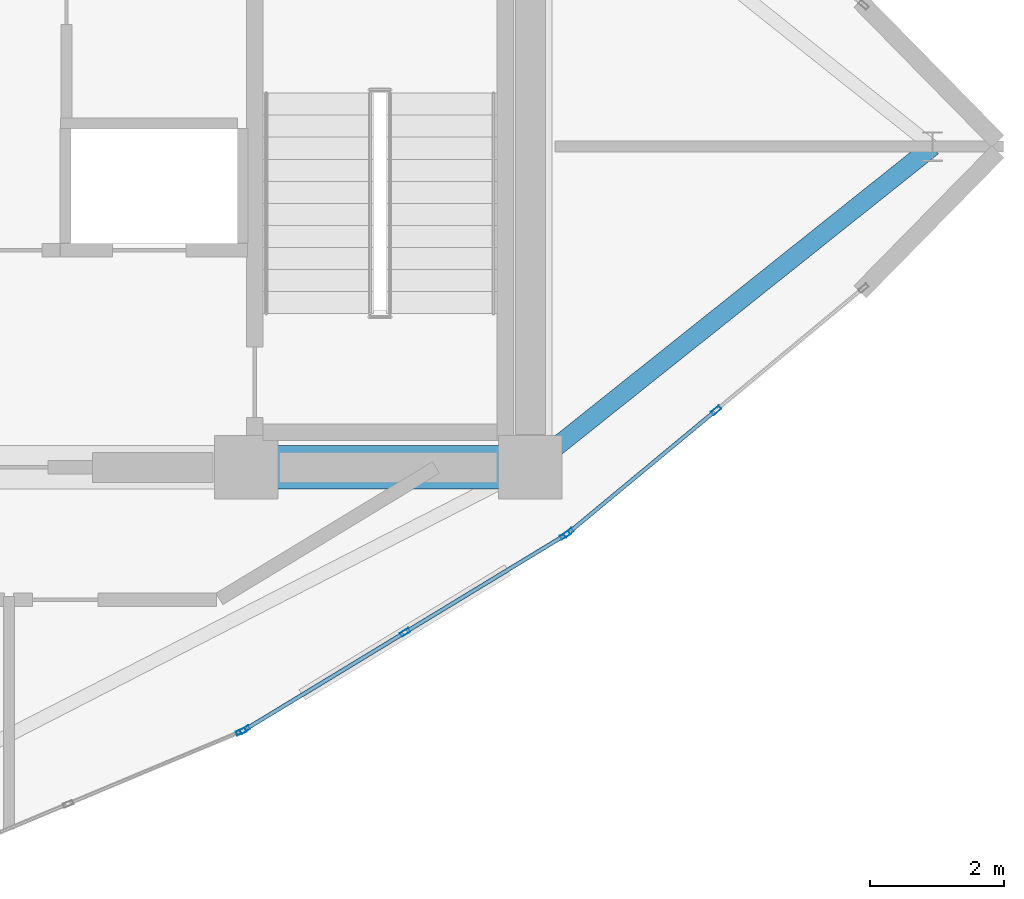
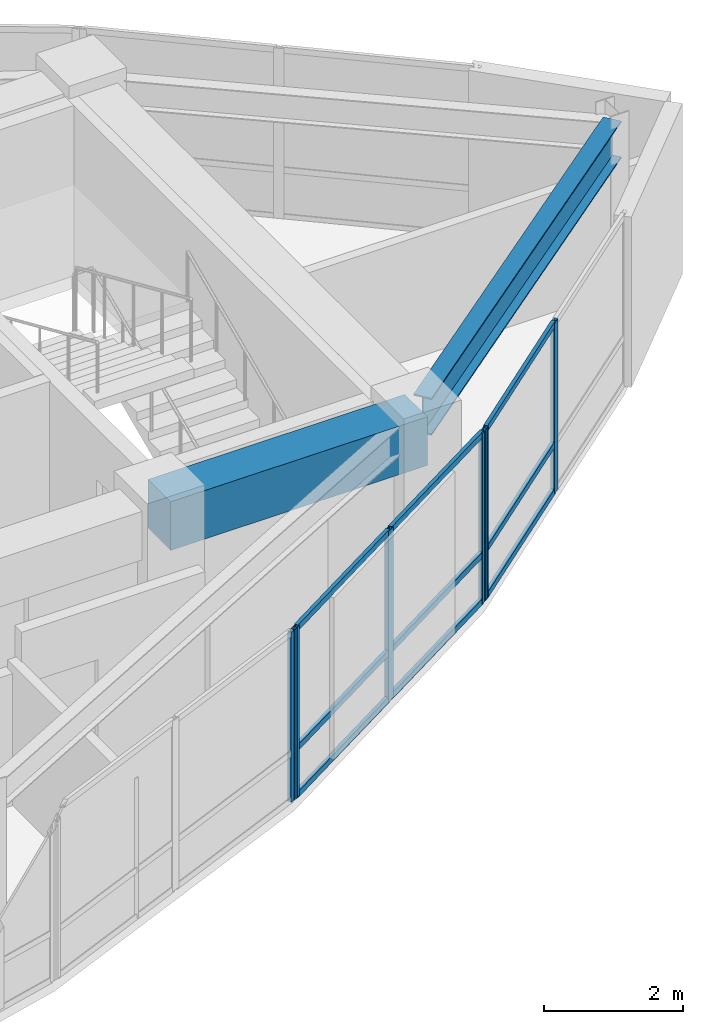
# One storey, part 5 of 14: 15 members, 2 beams, 3 elements without a shape of their own.
"""IFC4 building model written with IfcOpenShell, lengths in metres."""

from ifc_helpers import new_model, si_unit, direction, frame, origin, origin_2d, place, context, subcontext, project, spatial, rectangle, hollow_rectangle, i_section, extrude, material, layer, layer_set, material_profile, profile_set, type_object, element, aggregate, save


model = new_model("IFC4")

# Units and contexts
model_context = context("Model", 3, precision=1e-05, world=origin(), true_north=direction((0.0, 1.0)))
body_context = subcontext(model_context, "Body", "Model", "MODEL_VIEW")
ifc_project = project(units=[si_unit("LENGTHUNIT", "METRE"), si_unit("AREAUNIT", "SQUARE_METRE"), si_unit("VOLUMEUNIT", "CUBIC_METRE"), si_unit("PLANEANGLEUNIT", "RADIAN"), si_unit("MASSUNIT", "GRAM", prefix="KILO")], contexts=[model_context])

# Site, building, storey
site_placement = place(None, origin())
site = spatial("IfcSite", under=ifc_project, at=site_placement, CompositionType="ELEMENT")
building_placement = place(site_placement, origin())
building = spatial("IfcBuilding", under=site, at=building_placement, Name="Menara Vayukalpa", CompositionType="ELEMENT")
storey_placement = place(building_placement, frame((0.0, 0.0, 302.419921875)))
storey = spatial("IfcBuildingStorey", under=building, at=storey_placement, Name="L77", CompositionType="ELEMENT", Elevation=302.419921875)

# Beams
ifc_material_1 = material(Name="Concrete C60/75", Category="concrete")
ifc_material_profile_1 = material_profile(ifc_material_1, rectangle(XDim=0.64990234375, YDim=0.85009765625, at=origin_2d()), Name="RC 650x850")
ifc_profile_set_1 = profile_set([ifc_material_profile_1], Name="Concrete C60/75")
beam_type_1 = type_object("IfcBeamType", Name="BM-CB1", PredefinedType="BEAM", material=ifc_profile_set_1)
beam_1_placement = place(storey_placement, frame((29.14990234375, 17.199951171875, 2.55517578125), z_axis=(1.0, 0.0, 0.0), x_axis=(0.0, 1.0, 0.0)))
element("IfcBeam", 1, at=beam_1_placement, inside=storey, type_object=beam_type_1, Name="L77 Core Tie Beam CBR3", PredefinedType="BEAM", context=body_context, shape_type="SweptSolid", body=[
    extrude(rectangle(XDim=0.64990234375, YDim=0.85009765625, at=origin_2d()), origin(), (0.0, 0.0, 1.0), 4.25),
])
ifc_material_2 = material(Name="Steel S355", Category="steel")
ifc_material_profile_2 = material_profile(ifc_material_2, i_section(OverallWidth=0.280029296875, OverallDepth=0.64990234375, WebThickness=0.012939453125, FlangeThickness=0.02197265625, at=origin_2d()), Name="WF 650x280x13x22")
ifc_profile_set_2 = profile_set([ifc_material_profile_2], Name="Steel S355")
beam_type_2 = type_object("IfcBeamType", Name="BM-PG6", PredefinedType="BEAM", material=ifc_profile_set_2)
beam_2_placement = place(storey_placement, frame((33.595458984375, 17.35595703125, 2.655029296875), z_axis=(0.781833603421, 0.623487142258, 0.0), x_axis=(-0.623487142258, 0.781833603421, 0.0)))
element("IfcBeam", 2, at=beam_2_placement, inside=storey, type_object=beam_type_2, Name="L77 Primary Radial Girder RG01", PredefinedType="BEAM", context=body_context, shape_type="SweptSolid", body=[
    extrude(i_section(OverallWidth=0.280029296875, OverallDepth=0.64990234375, WebThickness=0.012939453125, FlangeThickness=0.02197265625, at=origin_2d()), origin(), (0.0, 0.0, 1.0), 7.448486328125),
])

# Curtain wall, member
ifc_material_3 = material(Name="Anodised Terracotta Aluminium Alloy 6063-T6", Category="masonry")
ifc_layer = layer(ifc_material_3, 0.14990234375)
ifc_layer_set = layer_set([ifc_layer], Name="Anodised Terracotta Aluminium Alloy 6063-T6")
curtain_wall_type = type_object("IfcCurtainWallType", Name="CW-CW7", PredefinedType="USERDEFINED", material=ifc_layer_set)
curtain_wall_1_placement = place(storey_placement, origin())
curtain_wall_1 = element("IfcCurtainWall", 3, at=curtain_wall_1_placement, inside=storey, type_object=curtain_wall_type, Name="L77 Crown Drum Screened Curtain Wall CW7 16", ObjectType="UNITISED", PredefinedType="USERDEFINED")
ifc_material_4 = material(Name="Anodised Terracotta Aluminium Alloy 6063-T6", Category="masonry")
ifc_material_profile_3 = material_profile(ifc_material_4, hollow_rectangle(XDim=0.06494140625, YDim=0.14990234375, WallThickness=0.00341796875, at=origin_2d()), Name="ALU 65x150x3.5")
ifc_profile_set_3 = profile_set([ifc_material_profile_3], Name="Anodised Terracotta Aluminium Alloy 6063-T6")
member_type_1 = type_object("IfcMemberType", Name="CWM-CW7", PredefinedType="MULLION", material=ifc_profile_set_3)
member_1_placement = place(storey_placement, frame((29.07177734375, 13.246337890625, 0.0), z_axis=(0.0, 0.0, 1.0), x_axis=(-0.385898361946, 0.922541302191, 0.0)))
member_1 = element("IfcMember", 4, at=member_1_placement, type_object=member_type_1, Name="CW7 mullion 3", PredefinedType="MULLION", context=body_context, shape_type="SweptSolid", body=[
    extrude(hollow_rectangle(XDim=0.06494140625, YDim=0.14990234375, WallThickness=0.00341796875, at=origin_2d()), origin(), (0.0, 0.0, 1.0), 2.97998046875),
])
aggregate(curtain_wall_1, [member_1])

# Curtain wall, members
curtain_wall_2_placement = place(storey_placement, origin())
curtain_wall_2 = element("IfcCurtainWall", 5, at=curtain_wall_2_placement, inside=storey, type_object=curtain_wall_type, Name="L77 Crown Drum Screened Curtain Wall CW7 17", ObjectType="UNITISED", PredefinedType="USERDEFINED")
member_2_placement = place(storey_placement, frame((29.129638671875, 13.27587890625, 0.0), z_axis=(0.0, 0.0, 1.0), x_axis=(-0.519176441176, 0.854667083096, 0.0)))
member_2 = element("IfcMember", 6, at=member_2_placement, type_object=member_type_1, Name="CW7 mullion 1", PredefinedType="MULLION", context=body_context, shape_type="SweptSolid", body=[
    extrude(hollow_rectangle(XDim=0.06494140625, YDim=0.14990234375, WallThickness=0.00341796875, at=origin_2d()), origin(), (0.0, 0.0, 1.0), 2.97998046875),
])
member_3_placement = place(storey_placement, frame((31.525146484375, 14.73095703125, 0.0), z_axis=(0.0, 0.0, 1.0), x_axis=(-0.519176441176, 0.854667083096, 0.0)))
member_3 = element("IfcMember", 7, at=member_3_placement, type_object=member_type_1, Name="CW7 mullion 2", PredefinedType="MULLION", context=body_context, shape_type="SweptSolid", body=[
    extrude(hollow_rectangle(XDim=0.06494140625, YDim=0.14990234375, WallThickness=0.00341796875, at=origin_2d()), origin(), (0.0, 0.0, 1.0), 2.97998046875),
])
member_4_placement = place(storey_placement, frame((33.9208984375, 16.186279296875, 0.0), z_axis=(0.0, 0.0, 1.0), x_axis=(-0.519176441176, 0.854667083096, 0.0)))
member_4 = element("IfcMember", 8, at=member_4_placement, type_object=member_type_1, Name="CW7 mullion 3", PredefinedType="MULLION", context=body_context, shape_type="SweptSolid", body=[
    extrude(hollow_rectangle(XDim=0.06494140625, YDim=0.14990234375, WallThickness=0.00341796875, at=origin_2d()), origin(), (0.0, 0.0, 1.0), 2.97998046875),
])

curtain_wall_3_placement = place(storey_placement, origin())
curtain_wall_3 = element("IfcCurtainWall", 9, at=curtain_wall_3_placement, inside=storey, type_object=curtain_wall_type, Name="L77 Crown Drum Screened Curtain Wall CW7 18", ObjectType="UNITISED", PredefinedType="USERDEFINED")
member_5_placement = place(storey_placement, frame((33.9736328125, 16.223876953125, 0.0), z_axis=(0.0, 0.0, 1.0), x_axis=(-0.63834658997, 0.7697490702, 0.0)))
member_5 = element("IfcMember", 10, at=member_5_placement, type_object=member_type_1, Name="CW7 mullion 1", PredefinedType="MULLION", context=body_context, shape_type="SweptSolid", body=[
    extrude(hollow_rectangle(XDim=0.06494140625, YDim=0.14990234375, WallThickness=0.00341796875, at=origin_2d()), origin(), (0.0, 0.0, 1.0), 2.97998046875),
])
member_6_placement = place(storey_placement, frame((36.1796875, 18.053466796875, 0.0), z_axis=(0.0, 0.0, 1.0), x_axis=(-0.63834658997, 0.7697490702, 0.0)))
member_6 = element("IfcMember", 11, at=member_6_placement, type_object=member_type_1, Name="CW7 mullion 2", PredefinedType="MULLION", context=body_context, shape_type="SweptSolid", body=[
    extrude(hollow_rectangle(XDim=0.06494140625, YDim=0.14990234375, WallThickness=0.00341796875, at=origin_2d()), origin(), (0.0, 0.0, 1.0), 2.97998046875),
])

# Member
ifc_material_5 = material(Name="Anodised Terracotta Aluminium Alloy 6063-T6", Category="masonry")
ifc_material_profile_4 = material_profile(ifc_material_5, hollow_rectangle(XDim=0.06005859375, YDim=0.10498046875, WallThickness=0.0029296875, at=origin_2d()), Name="ALU 60x105x3")
ifc_profile_set_4 = profile_set([ifc_material_profile_4], Name="Anodised Terracotta Aluminium Alloy 6063-T6")
member_type_2 = type_object("IfcMemberType", Name="CWT-CW7", PredefinedType="USERDEFINED", material=ifc_profile_set_4)
member_7_placement = place(storey_placement, frame((29.157470703125, 13.292724609375, 0.030029296875), z_axis=(0.854687194246, 0.519143332801, 0.0), x_axis=(-0.519143332801, 0.854687194246, 0.0)))
member_7 = element("IfcMember", 12, at=member_7_placement, type_object=member_type_2, Name="CW7 transom 1.1", ObjectType="TRANSOM", PredefinedType="USERDEFINED", context=body_context, shape_type="SweptSolid", body=[
    extrude(hollow_rectangle(XDim=0.06005859375, YDim=0.10498046875, WallThickness=0.0029296875, at=origin_2d()), origin(), (0.0, 0.0, 1.0), 2.738037109375),
])

member_8_placement = place(storey_placement, frame((29.157470703125, 13.292724609375, 0.85009765625), z_axis=(0.854687194246, 0.519143332801, 0.0), x_axis=(-0.519143332801, 0.854687194246, 0.0)))
member_8 = element("IfcMember", 13, at=member_8_placement, type_object=member_type_2, Name="CW7 transom 1.2", ObjectType="TRANSOM", PredefinedType="USERDEFINED", context=body_context, shape_type="SweptSolid", body=[
    extrude(hollow_rectangle(XDim=0.06005859375, YDim=0.10498046875, WallThickness=0.0029296875, at=origin_2d()), origin(), (0.0, 0.0, 1.0), 2.738037109375),
])

member_9_placement = place(storey_placement, frame((29.157470703125, 13.292724609375, 2.9501953125), z_axis=(0.854687194246, 0.519143332801, 0.0), x_axis=(-0.519143332801, 0.854687194246, 0.0)))
member_9 = element("IfcMember", 14, at=member_9_placement, type_object=member_type_2, Name="CW7 transom 1.3", ObjectType="TRANSOM", PredefinedType="USERDEFINED", context=body_context, shape_type="SweptSolid", body=[
    extrude(hollow_rectangle(XDim=0.06005859375, YDim=0.10498046875, WallThickness=0.0029296875, at=origin_2d()), origin(), (0.0, 0.0, 1.0), 2.738037109375),
])

member_10_placement = place(storey_placement, frame((31.552978515625, 14.747802734375, 0.030029296875), z_axis=(0.854647628743, 0.519208465537, 0.0), x_axis=(-0.519208465537, 0.854647628743, 0.0)))
member_10 = element("IfcMember", 15, at=member_10_placement, type_object=member_type_2, Name="CW7 transom 2.1", ObjectType="TRANSOM", PredefinedType="USERDEFINED", context=body_context, shape_type="SweptSolid", body=[
    extrude(hollow_rectangle(XDim=0.06005859375, YDim=0.10498046875, WallThickness=0.0029296875, at=origin_2d()), origin(), (0.0, 0.0, 1.0), 2.738037109375),
])

member_11_placement = place(storey_placement, frame((31.552978515625, 14.747802734375, 0.85009765625), z_axis=(0.854647628743, 0.519208465537, 0.0), x_axis=(-0.519208465537, 0.854647628743, 0.0)))
member_11 = element("IfcMember", 16, at=member_11_placement, type_object=member_type_2, Name="CW7 transom 2.2", ObjectType="TRANSOM", PredefinedType="USERDEFINED", context=body_context, shape_type="SweptSolid", body=[
    extrude(hollow_rectangle(XDim=0.06005859375, YDim=0.10498046875, WallThickness=0.0029296875, at=origin_2d()), origin(), (0.0, 0.0, 1.0), 2.738037109375),
])

member_12_placement = place(storey_placement, frame((31.552978515625, 14.747802734375, 2.9501953125), z_axis=(0.854647628743, 0.519208465537, 0.0), x_axis=(-0.519208465537, 0.854647628743, 0.0)))
member_12 = element("IfcMember", 17, at=member_12_placement, type_object=member_type_2, Name="CW7 transom 2.3", ObjectType="TRANSOM", PredefinedType="USERDEFINED", context=body_context, shape_type="SweptSolid", body=[
    extrude(hollow_rectangle(XDim=0.06005859375, YDim=0.10498046875, WallThickness=0.0029296875, at=origin_2d()), origin(), (0.0, 0.0, 1.0), 2.738037109375),
])

aggregate(curtain_wall_2, [member_2, member_3, member_4, member_7, member_8, member_9, member_10, member_11, member_12])

member_13_placement = place(storey_placement, frame((33.998779296875, 16.24462890625, 0.030029296875), z_axis=(0.769726621741, 0.638373658434, 0.0), x_axis=(-0.638373658434, 0.769726621741, 0.0)))
member_13 = element("IfcMember", 18, at=member_13_placement, type_object=member_type_2, Name="CW7 transom 1.1", ObjectType="TRANSOM", PredefinedType="USERDEFINED", context=body_context, shape_type="SweptSolid", body=[
    extrude(hollow_rectangle(XDim=0.06005859375, YDim=0.10498046875, WallThickness=0.0029296875, at=origin_2d()), origin(), (0.0, 0.0, 1.0), 2.801025390625),
])

member_14_placement = place(storey_placement, frame((33.998779296875, 16.24462890625, 0.85009765625), z_axis=(0.769726621741, 0.638373658434, 0.0), x_axis=(-0.638373658434, 0.769726621741, 0.0)))
member_14 = element("IfcMember", 19, at=member_14_placement, type_object=member_type_2, Name="CW7 transom 1.2", ObjectType="TRANSOM", PredefinedType="USERDEFINED", context=body_context, shape_type="SweptSolid", body=[
    extrude(hollow_rectangle(XDim=0.06005859375, YDim=0.10498046875, WallThickness=0.0029296875, at=origin_2d()), origin(), (0.0, 0.0, 1.0), 2.801025390625),
])

member_15_placement = place(storey_placement, frame((33.998779296875, 16.24462890625, 2.9501953125), z_axis=(0.769726621741, 0.638373658434, 0.0), x_axis=(-0.638373658434, 0.769726621741, 0.0)))
member_15 = element("IfcMember", 20, at=member_15_placement, type_object=member_type_2, Name="CW7 transom 1.3", ObjectType="TRANSOM", PredefinedType="USERDEFINED", context=body_context, shape_type="SweptSolid", body=[
    extrude(hollow_rectangle(XDim=0.06005859375, YDim=0.10498046875, WallThickness=0.0029296875, at=origin_2d()), origin(), (0.0, 0.0, 1.0), 2.801025390625),
])

aggregate(curtain_wall_3, [member_5, member_6, member_13, member_14, member_15])

save(model, "model.ifc")
